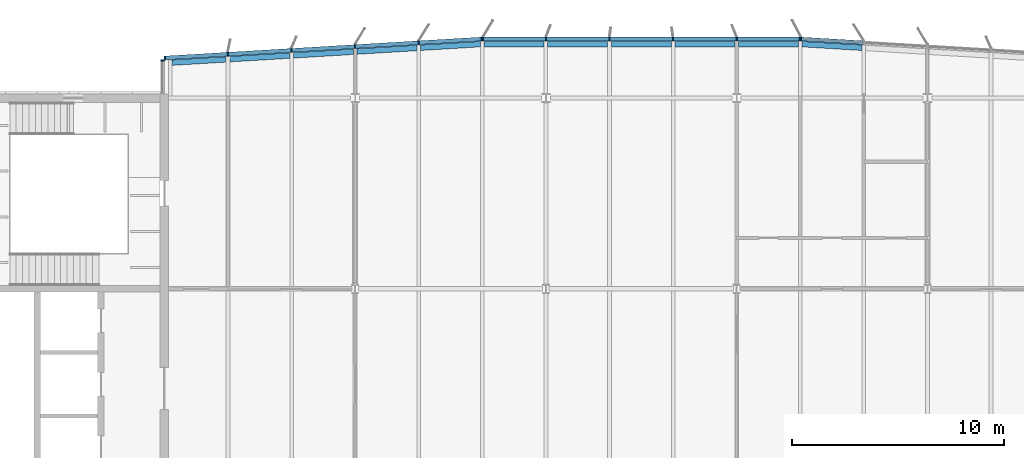
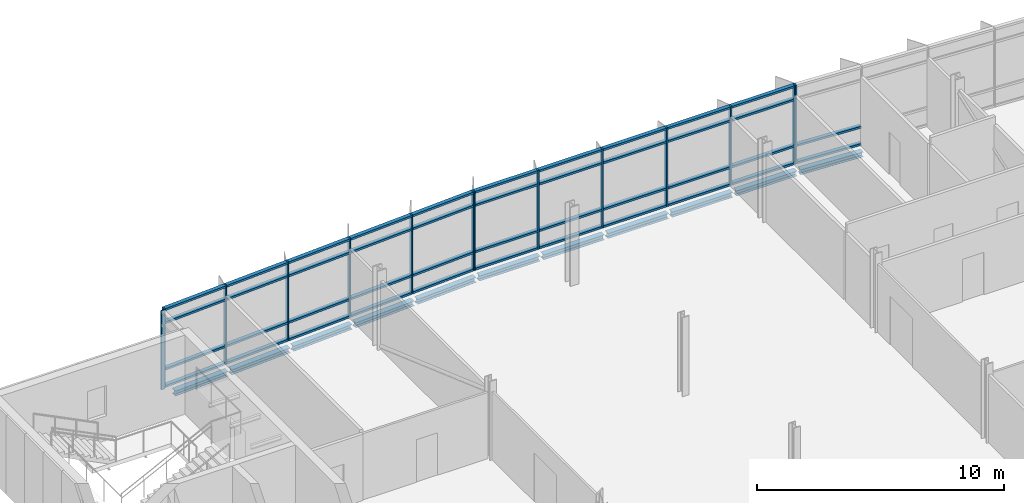
# One storey, part 8 of 18: 56 members, 11 beams, 4 elements without a shape of their own.
"""IFC4 building model written with IfcOpenShell, lengths in metres."""

from ifc_helpers import new_model, si_unit, direction, frame, origin, origin_2d, place, context, subcontext, project, spatial, rectangle, i_section, extrude, material, material_profile, profile_set, type_object, element, aggregate, save


model = new_model("IFC4")

# Units and contexts
model_context = context("Model", 3, precision=1e-05, world=origin(), true_north=direction((0.0, 1.0)))
body_context = subcontext(model_context, "Body", "Model", "MODEL_VIEW")
ifc_project = project(units=[si_unit("LENGTHUNIT", "METRE"), si_unit("AREAUNIT", "SQUARE_METRE"), si_unit("VOLUMEUNIT", "CUBIC_METRE"), si_unit("PLANEANGLEUNIT", "RADIAN"), si_unit("MASSUNIT", "GRAM", prefix="KILO")], contexts=[model_context])

# Site, building, storey
site_placement = place(None, origin())
site = spatial("IfcSite", under=ifc_project, at=site_placement, CompositionType="ELEMENT")
building_placement = place(site_placement, origin())
building = spatial("IfcBuilding", under=site, at=building_placement, Name="Azimuth Sports and Learning Centre", CompositionType="ELEMENT")
storey_placement = place(building_placement, frame((0.0, 0.0, 59.699951171875)))
storey = spatial("IfcBuildingStorey", under=building, at=storey_placement, Name="L13", CompositionType="ELEMENT", Elevation=59.699951171875)

# Beams
ifc_material_1 = material(Name="Steel S355", Category="steel")
ifc_material_profile_1 = material_profile(ifc_material_1, i_section(OverallWidth=0.260009765625, OverallDepth=0.25, WebThickness=0.007568359375, FlangeThickness=0.012451171875, FilletRadius=0.02392578125, at=origin_2d()), Name="HEA 260")
ifc_profile_set_1 = profile_set([ifc_material_profile_1], Name="Steel S355")
beam_type = type_object("IfcBeamType", Name="Edge beam HEA 260", PredefinedType="SPANDREL", material=ifc_profile_set_1)
beam_1_placement = place(storey_placement, frame((63.3701171875, 118.672119140625, -0.2548828125), z_axis=(0.998201638043, 0.05994572385, 0.0), x_axis=(-0.05994572385, 0.998201638043, 0.0)))
element("IfcBeam", 1, at=beam_1_placement, inside=storey, type_object=beam_type, Name="Tower edge beam", PredefinedType="SPANDREL", context=body_context, shape_type="SweptSolid", body=[
    extrude(i_section(OverallWidth=0.260009765625, OverallDepth=0.25, WebThickness=0.007568359375, FlangeThickness=0.012451171875, FilletRadius=0.02392578125, at=origin_2d()), origin(), (0.0, 0.0, 1.0), 2.549560546875),
])
for number, where, z_axis, x_axis, name in (
    (2, (66.0849609375, 118.835205078125, -0.2548828125), (0.998207521518, 0.059847673176, 0.0), (-0.059847673176, 0.998207521518, 0.0), "Tower edge beam"),
    (3, (69.0849609375, 119.01513671875, -0.2548828125), (0.998207521518, 0.059847673176, 0.0), (-0.059847673176, 0.998207521518, 0.0), "Tower edge beam"),
    (4, (72.0849609375, 119.195068359375, -0.2548828125), (0.998202373506, 0.059933475842, 0.0), (-0.059933475842, 0.998202373506, 0.0), "Tower edge beam"),
    (5, (75.0849609375, 119.375, -0.2548828125), (0.998202373506, 0.059933475842, 0.0), (-0.059933475842, 0.998202373506, 0.0), "Tower edge beam"),
):
    element("IfcBeam", number, at=place(storey_placement, frame(where, z_axis=z_axis, x_axis=x_axis)), inside=storey, type_object=beam_type, Name=name, PredefinedType="SPANDREL", context=body_context, shape_type="SweptSolid", body=[
        extrude(i_section(OverallWidth=0.260009765625, OverallDepth=0.25, WebThickness=0.007568359375, FlangeThickness=0.012451171875, FilletRadius=0.02392578125, at=origin_2d()), origin(), (0.0, 0.0, 1.0), 2.835205078125),
    ])
for number, where, z_axis, x_axis, name in (
    (6, (78.0849609375, 119.550048828125, -0.2548828125), (1.0, 0.0, 0.0), (0.0, 1.0, 0.0), "Tower edge beam"),
    (7, (81.0849609375, 119.550048828125, -0.2548828125), (1.0, 0.0, 0.0), (0.0, 1.0, 0.0), "Tower edge beam"),
    (8, (84.0849609375, 119.550048828125, -0.2548828125), (1.0, 0.0, 0.0), (0.0, 1.0, 0.0), "Tower edge beam"),
    (9, (87.0849609375, 119.550048828125, -0.2548828125), (1.0, 0.0, 0.0), (0.0, 1.0, 0.0), "Tower edge beam"),
    (10, (90.0849609375, 119.550048828125, -0.2548828125), (1.0, 0.0, 0.0), (0.0, 1.0, 0.0), "Tower edge beam"),
):
    element("IfcBeam", number, at=place(storey_placement, frame(where, z_axis=z_axis, x_axis=x_axis)), inside=storey, type_object=beam_type, Name=name, PredefinedType="SPANDREL", context=body_context, shape_type="SweptSolid", body=[
        extrude(i_section(OverallWidth=0.260009765625, OverallDepth=0.25, WebThickness=0.007568359375, FlangeThickness=0.012451171875, FilletRadius=0.02392578125, at=origin_2d()), origin(), (0.0, 0.0, 1.0), 2.830078125),
    ])
beam_2_placement = place(storey_placement, frame((93.0849609375, 119.544921875, -0.2548828125), z_axis=(0.998202373506, -0.059933475842, 0.0), x_axis=(0.059933475842, 0.998202373506, 0.0)))
element("IfcBeam", 11, at=beam_2_placement, inside=storey, type_object=beam_type, Name="Tower edge beam", PredefinedType="SPANDREL", context=body_context, shape_type="SweptSolid", body=[
    extrude(i_section(OverallWidth=0.260009765625, OverallDepth=0.25, WebThickness=0.007568359375, FlangeThickness=0.012451171875, FilletRadius=0.02392578125, at=origin_2d()), origin(), (0.0, 0.0, 1.0), 2.835205078125),
])

# Curtain wall, member
ifc_material_2 = material(Name="Aluminium and glass", Category="aluminium")
curtain_wall_type_1 = type_object("IfcCurtainWallType", Name="Curtain wall tower north 180", PredefinedType="NOTDEFINED", material=ifc_material_2)
curtain_wall_1_placement = place(storey_placement, origin())
curtain_wall_1 = element("IfcCurtainWall", 12, at=curtain_wall_1_placement, inside=storey, type_object=curtain_wall_type_1, Name="Curtain wall CW13-007", PredefinedType="NOTDEFINED")
ifc_material_3 = material(Name="Aluminium", Category="aluminium")
ifc_material_profile_2 = material_profile(ifc_material_3, rectangle(XDim=0.179931640625, YDim=0.06005859375, at=origin_2d()), Name="Mullion 60x180")
ifc_profile_set_2 = profile_set([ifc_material_profile_2], Name="Aluminium")
member_type_1 = type_object("IfcMemberType", Name="Mullion 60x180", PredefinedType="MULLION", material=ifc_profile_set_2)
member_1_placement = place(storey_placement, frame((93.035400390625, 119.7880859375, 0.0), z_axis=(0.0, 0.0, 1.0), x_axis=(-0.059891991812, -0.998204863401, 0.0)))
member_1 = element("IfcMember", 13, at=member_1_placement, type_object=member_type_1, Name="CW13-007 mullion 6", PredefinedType="MULLION", context=body_context, shape_type="SweptSolid", body=[
    extrude(rectangle(XDim=0.179931640625, YDim=0.06005859375, at=origin_2d()), origin(), (0.0, 0.0, 1.0), 3.900146484375),
])

# Curtain wall, members
curtain_wall_2_placement = place(storey_placement, origin())
curtain_wall_2 = element("IfcCurtainWall", 14, at=curtain_wall_2_placement, inside=storey, type_object=curtain_wall_type_1, Name="Curtain wall CW13-008", PredefinedType="NOTDEFINED")
member_2_placement = place(storey_placement, frame((92.975341796875, 119.7900390625, 0.0), z_axis=(0.0, 0.0, 1.0), x_axis=(0.0, -1.0, 0.0)))
member_2 = element("IfcMember", 15, at=member_2_placement, type_object=member_type_1, Name="CW13-008 mullion 1", PredefinedType="MULLION", context=body_context, shape_type="SweptSolid", body=[
    extrude(rectangle(XDim=0.179931640625, YDim=0.06005859375, at=origin_2d()), origin(), (0.0, 0.0, 1.0), 3.900146484375),
])
member_3_placement = place(storey_placement, frame((90.0, 119.7900390625, 0.0), z_axis=(0.0, 0.0, 1.0), x_axis=(0.0, -1.0, 0.0)))
member_3 = element("IfcMember", 16, at=member_3_placement, type_object=member_type_1, Name="CW13-008 mullion 2", PredefinedType="MULLION", context=body_context, shape_type="SweptSolid", body=[
    extrude(rectangle(XDim=0.179931640625, YDim=0.06005859375, at=origin_2d()), origin(), (0.0, 0.0, 1.0), 3.900146484375),
])
member_4_placement = place(storey_placement, frame((87.0, 119.7900390625, 0.0), z_axis=(0.0, 0.0, 1.0), x_axis=(0.0, -1.0, 0.0)))
member_4 = element("IfcMember", 17, at=member_4_placement, type_object=member_type_1, Name="CW13-008 mullion 3", PredefinedType="MULLION", context=body_context, shape_type="SweptSolid", body=[
    extrude(rectangle(XDim=0.179931640625, YDim=0.06005859375, at=origin_2d()), origin(), (0.0, 0.0, 1.0), 3.900146484375),
])
member_5_placement = place(storey_placement, frame((84.0, 119.7900390625, 0.0), z_axis=(0.0, 0.0, 1.0), x_axis=(0.0, -1.0, 0.0)))
member_5 = element("IfcMember", 18, at=member_5_placement, type_object=member_type_1, Name="CW13-008 mullion 4", PredefinedType="MULLION", context=body_context, shape_type="SweptSolid", body=[
    extrude(rectangle(XDim=0.179931640625, YDim=0.06005859375, at=origin_2d()), origin(), (0.0, 0.0, 1.0), 3.900146484375),
])
member_6_placement = place(storey_placement, frame((81.0, 119.7900390625, 0.0), z_axis=(0.0, 0.0, 1.0), x_axis=(0.0, -1.0, 0.0)))
member_6 = element("IfcMember", 19, at=member_6_placement, type_object=member_type_1, Name="CW13-008 mullion 5", PredefinedType="MULLION", context=body_context, shape_type="SweptSolid", body=[
    extrude(rectangle(XDim=0.179931640625, YDim=0.06005859375, at=origin_2d()), origin(), (0.0, 0.0, 1.0), 3.900146484375),
])
member_7_placement = place(storey_placement, frame((78.030029296875, 119.7900390625, 0.0), z_axis=(0.0, 0.0, 1.0), x_axis=(0.0, -1.0, 0.0)))
member_7 = element("IfcMember", 20, at=member_7_placement, type_object=member_type_1, Name="CW13-008 mullion 6", PredefinedType="MULLION", context=body_context, shape_type="SweptSolid", body=[
    extrude(rectangle(XDim=0.179931640625, YDim=0.06005859375, at=origin_2d()), origin(), (0.0, 0.0, 1.0), 3.900146484375),
])

curtain_wall_3_placement = place(storey_placement, origin())
curtain_wall_3 = element("IfcCurtainWall", 21, at=curtain_wall_3_placement, inside=storey, type_object=curtain_wall_type_1, Name="Curtain wall CW13-009", PredefinedType="NOTDEFINED")
member_8_placement = place(storey_placement, frame((77.969970703125, 119.788330078125, 0.0), z_axis=(0.0, 0.0, 1.0), x_axis=(0.059891991812, -0.998204863401, 0.0)))
member_8 = element("IfcMember", 22, at=member_8_placement, type_object=member_type_1, Name="CW13-009 mullion 1", PredefinedType="MULLION", context=body_context, shape_type="SweptSolid", body=[
    extrude(rectangle(XDim=0.179931640625, YDim=0.06005859375, at=origin_2d()), origin(), (0.0, 0.0, 1.0), 3.900146484375),
])
member_9_placement = place(storey_placement, frame((74.99462890625, 119.60986328125, 0.0), z_axis=(0.0, 0.0, 1.0), x_axis=(0.059891991812, -0.998204863401, 0.0)))
member_9 = element("IfcMember", 23, at=member_9_placement, type_object=member_type_1, Name="CW13-009 mullion 2", PredefinedType="MULLION", context=body_context, shape_type="SweptSolid", body=[
    extrude(rectangle(XDim=0.179931640625, YDim=0.06005859375, at=origin_2d()), origin(), (0.0, 0.0, 1.0), 3.900146484375),
])
member_10_placement = place(storey_placement, frame((71.99462890625, 119.429931640625, 0.0), z_axis=(0.0, 0.0, 1.0), x_axis=(0.059891991812, -0.998204863401, 0.0)))
member_10 = element("IfcMember", 24, at=member_10_placement, type_object=member_type_1, Name="CW13-009 mullion 3", PredefinedType="MULLION", context=body_context, shape_type="SweptSolid", body=[
    extrude(rectangle(XDim=0.179931640625, YDim=0.06005859375, at=origin_2d()), origin(), (0.0, 0.0, 1.0), 3.900146484375),
])
member_11_placement = place(storey_placement, frame((68.99462890625, 119.249755859375, 0.0), z_axis=(0.0, 0.0, 1.0), x_axis=(0.059891991812, -0.998204863401, 0.0)))
member_11 = element("IfcMember", 25, at=member_11_placement, type_object=member_type_1, Name="CW13-009 mullion 4", PredefinedType="MULLION", context=body_context, shape_type="SweptSolid", body=[
    extrude(rectangle(XDim=0.179931640625, YDim=0.06005859375, at=origin_2d()), origin(), (0.0, 0.0, 1.0), 3.900146484375),
])
member_12_placement = place(storey_placement, frame((65.99462890625, 119.06982421875, 0.0), z_axis=(0.0, 0.0, 1.0), x_axis=(0.059891991812, -0.998204863401, 0.0)))
member_12 = element("IfcMember", 26, at=member_12_placement, type_object=member_type_1, Name="CW13-009 mullion 5", PredefinedType="MULLION", context=body_context, shape_type="SweptSolid", body=[
    extrude(rectangle(XDim=0.179931640625, YDim=0.06005859375, at=origin_2d()), origin(), (0.0, 0.0, 1.0), 3.900146484375),
])
member_13_placement = place(storey_placement, frame((63.024658203125, 118.8916015625, 0.0), z_axis=(0.0, 0.0, 1.0), x_axis=(0.059891991812, -0.998204863401, 0.0)))
member_13 = element("IfcMember", 27, at=member_13_placement, type_object=member_type_1, Name="CW13-009 mullion 6", PredefinedType="MULLION", context=body_context, shape_type="SweptSolid", body=[
    extrude(rectangle(XDim=0.179931640625, YDim=0.06005859375, at=origin_2d()), origin(), (0.0, 0.0, 1.0), 3.900146484375),
])

# Curtain wall, member
ifc_material_4 = material(Name="Aluminium and glass", Category="aluminium")
curtain_wall_type_2 = type_object("IfcCurtainWallType", Name="Curtain wall tower return 180", PredefinedType="NOTDEFINED", material=ifc_material_4)
curtain_wall_4_placement = place(storey_placement, origin())
curtain_wall_4 = element("IfcCurtainWall", 28, at=curtain_wall_4_placement, inside=storey, type_object=curtain_wall_type_2, Name="Curtain wall CW13-010", PredefinedType="NOTDEFINED")
member_14_placement = place(storey_placement, frame((62.909912109375, 118.77001953125, 0.0), z_axis=(0.0, 0.0, 1.0), x_axis=(1.0, 0.0, 0.0)))
member_14 = element("IfcMember", 29, at=member_14_placement, type_object=member_type_1, Name="CW13-010 mullion 1", PredefinedType="MULLION", context=body_context, shape_type="SweptSolid", body=[
    extrude(rectangle(XDim=0.179931640625, YDim=0.06005859375, at=origin_2d()), origin(), (0.0, 0.0, 1.0), 3.900146484375),
])
aggregate(curtain_wall_4, [member_14])

# Member
ifc_material_5 = material(Name="Aluminium", Category="aluminium")
ifc_material_profile_3 = material_profile(ifc_material_5, rectangle(XDim=0.179931640625, YDim=0.10009765625, at=origin_2d()), Name="Transom 100x180")
ifc_profile_set_3 = profile_set([ifc_material_profile_3], Name="Aluminium")
member_type_2 = type_object("IfcMemberType", Name="Transom 100x180", PredefinedType="USERDEFINED", material=ifc_profile_set_3)
member_15_placement = place(storey_placement, frame((95.975341796875, 119.611572265625, 0.050048828125), z_axis=(-0.998205846627, 0.059875602377, 0.0), x_axis=(-0.059875602377, -0.998205846627, 0.0)))
member_15 = element("IfcMember", 30, at=member_15_placement, type_object=member_type_2, Name="CW13-007 transom 5.1", ObjectType="TRANSOM", PredefinedType="USERDEFINED", context=body_context, shape_type="SweptSolid", body=[
    extrude(rectangle(XDim=0.179931640625, YDim=0.10009765625, at=origin_2d()), origin(), (0.0, 0.0, 1.0), 2.915283203125),
])

member_16_placement = place(storey_placement, frame((95.975341796875, 119.611572265625, 0.900146484375), z_axis=(-0.998205846627, 0.059875602377, 0.0), x_axis=(-0.059875602377, -0.998205846627, 0.0)))
member_16 = element("IfcMember", 31, at=member_16_placement, type_object=member_type_2, Name="CW13-007 transom 5.2", ObjectType="TRANSOM", PredefinedType="USERDEFINED", context=body_context, shape_type="SweptSolid", body=[
    extrude(rectangle(XDim=0.179931640625, YDim=0.10009765625, at=origin_2d()), origin(), (0.0, 0.0, 1.0), 2.915283203125),
])

aggregate(curtain_wall_1, [member_1, member_15, member_16])

member_17_placement = place(storey_placement, frame((92.9453125, 119.7900390625, 0.050048828125), z_axis=(-1.0, 0.0, 0.0), x_axis=(0.0, -1.0, 0.0)))
member_17 = element("IfcMember", 32, at=member_17_placement, type_object=member_type_2, Name="CW13-008 transom 1.1", ObjectType="TRANSOM", PredefinedType="USERDEFINED", context=body_context, shape_type="SweptSolid", body=[
    extrude(rectangle(XDim=0.179931640625, YDim=0.10009765625, at=origin_2d()), origin(), (0.0, 0.0, 1.0), 2.915283203125),
])

member_18_placement = place(storey_placement, frame((92.9453125, 119.7900390625, 0.900146484375), z_axis=(-1.0, 0.0, 0.0), x_axis=(0.0, -1.0, 0.0)))
member_18 = element("IfcMember", 33, at=member_18_placement, type_object=member_type_2, Name="CW13-008 transom 1.2", ObjectType="TRANSOM", PredefinedType="USERDEFINED", context=body_context, shape_type="SweptSolid", body=[
    extrude(rectangle(XDim=0.179931640625, YDim=0.10009765625, at=origin_2d()), origin(), (0.0, 0.0, 1.0), 2.915283203125),
])

member_19_placement = place(storey_placement, frame((92.9453125, 119.7900390625, 3.199951171875), z_axis=(-1.0, 0.0, 0.0), x_axis=(0.0, -1.0, 0.0)))
member_19 = element("IfcMember", 34, at=member_19_placement, type_object=member_type_2, Name="CW13-008 transom 1.3", ObjectType="TRANSOM", PredefinedType="USERDEFINED", context=body_context, shape_type="SweptSolid", body=[
    extrude(rectangle(XDim=0.179931640625, YDim=0.10009765625, at=origin_2d()), origin(), (0.0, 0.0, 1.0), 2.915283203125),
])

member_20_placement = place(storey_placement, frame((92.9453125, 119.7900390625, 3.85009765625), z_axis=(-1.0, 0.0, 0.0), x_axis=(0.0, -1.0, 0.0)))
member_20 = element("IfcMember", 35, at=member_20_placement, type_object=member_type_2, Name="CW13-008 transom 1.4", ObjectType="TRANSOM", PredefinedType="USERDEFINED", context=body_context, shape_type="SweptSolid", body=[
    extrude(rectangle(XDim=0.179931640625, YDim=0.10009765625, at=origin_2d()), origin(), (0.0, 0.0, 1.0), 2.915283203125),
])

member_21_placement = place(storey_placement, frame((89.969970703125, 119.7900390625, 0.050048828125), z_axis=(-1.0, 0.0, 0.0), x_axis=(0.0, -1.0, 0.0)))
member_21 = element("IfcMember", 36, at=member_21_placement, type_object=member_type_2, Name="CW13-008 transom 2.1", ObjectType="TRANSOM", PredefinedType="USERDEFINED", context=body_context, shape_type="SweptSolid", body=[
    extrude(rectangle(XDim=0.179931640625, YDim=0.10009765625, at=origin_2d()), origin(), (0.0, 0.0, 1.0), 2.93994140625),
])

member_22_placement = place(storey_placement, frame((89.969970703125, 119.7900390625, 0.900146484375), z_axis=(-1.0, 0.0, 0.0), x_axis=(0.0, -1.0, 0.0)))
member_22 = element("IfcMember", 37, at=member_22_placement, type_object=member_type_2, Name="CW13-008 transom 2.2", ObjectType="TRANSOM", PredefinedType="USERDEFINED", context=body_context, shape_type="SweptSolid", body=[
    extrude(rectangle(XDim=0.179931640625, YDim=0.10009765625, at=origin_2d()), origin(), (0.0, 0.0, 1.0), 2.93994140625),
])

member_23_placement = place(storey_placement, frame((89.969970703125, 119.7900390625, 3.199951171875), z_axis=(-1.0, 0.0, 0.0), x_axis=(0.0, -1.0, 0.0)))
member_23 = element("IfcMember", 38, at=member_23_placement, type_object=member_type_2, Name="CW13-008 transom 2.3", ObjectType="TRANSOM", PredefinedType="USERDEFINED", context=body_context, shape_type="SweptSolid", body=[
    extrude(rectangle(XDim=0.179931640625, YDim=0.10009765625, at=origin_2d()), origin(), (0.0, 0.0, 1.0), 2.93994140625),
])

member_24_placement = place(storey_placement, frame((89.969970703125, 119.7900390625, 3.85009765625), z_axis=(-1.0, 0.0, 0.0), x_axis=(0.0, -1.0, 0.0)))
member_24 = element("IfcMember", 39, at=member_24_placement, type_object=member_type_2, Name="CW13-008 transom 2.4", ObjectType="TRANSOM", PredefinedType="USERDEFINED", context=body_context, shape_type="SweptSolid", body=[
    extrude(rectangle(XDim=0.179931640625, YDim=0.10009765625, at=origin_2d()), origin(), (0.0, 0.0, 1.0), 2.93994140625),
])

member_25_placement = place(storey_placement, frame((86.969970703125, 119.7900390625, 0.050048828125), z_axis=(-1.0, 0.0, 0.0), x_axis=(0.0, -1.0, 0.0)))
member_25 = element("IfcMember", 40, at=member_25_placement, type_object=member_type_2, Name="CW13-008 transom 3.1", ObjectType="TRANSOM", PredefinedType="USERDEFINED", context=body_context, shape_type="SweptSolid", body=[
    extrude(rectangle(XDim=0.179931640625, YDim=0.10009765625, at=origin_2d()), origin(), (0.0, 0.0, 1.0), 2.93994140625),
])

member_26_placement = place(storey_placement, frame((86.969970703125, 119.7900390625, 0.900146484375), z_axis=(-1.0, 0.0, 0.0), x_axis=(0.0, -1.0, 0.0)))
member_26 = element("IfcMember", 41, at=member_26_placement, type_object=member_type_2, Name="CW13-008 transom 3.2", ObjectType="TRANSOM", PredefinedType="USERDEFINED", context=body_context, shape_type="SweptSolid", body=[
    extrude(rectangle(XDim=0.179931640625, YDim=0.10009765625, at=origin_2d()), origin(), (0.0, 0.0, 1.0), 2.93994140625),
])

member_27_placement = place(storey_placement, frame((86.969970703125, 119.7900390625, 3.199951171875), z_axis=(-1.0, 0.0, 0.0), x_axis=(0.0, -1.0, 0.0)))
member_27 = element("IfcMember", 42, at=member_27_placement, type_object=member_type_2, Name="CW13-008 transom 3.3", ObjectType="TRANSOM", PredefinedType="USERDEFINED", context=body_context, shape_type="SweptSolid", body=[
    extrude(rectangle(XDim=0.179931640625, YDim=0.10009765625, at=origin_2d()), origin(), (0.0, 0.0, 1.0), 2.93994140625),
])

member_28_placement = place(storey_placement, frame((86.969970703125, 119.7900390625, 3.85009765625), z_axis=(-1.0, 0.0, 0.0), x_axis=(0.0, -1.0, 0.0)))
member_28 = element("IfcMember", 43, at=member_28_placement, type_object=member_type_2, Name="CW13-008 transom 3.4", ObjectType="TRANSOM", PredefinedType="USERDEFINED", context=body_context, shape_type="SweptSolid", body=[
    extrude(rectangle(XDim=0.179931640625, YDim=0.10009765625, at=origin_2d()), origin(), (0.0, 0.0, 1.0), 2.93994140625),
])

member_29_placement = place(storey_placement, frame((83.969970703125, 119.7900390625, 0.050048828125), z_axis=(-1.0, 0.0, 0.0), x_axis=(0.0, -1.0, 0.0)))
member_29 = element("IfcMember", 44, at=member_29_placement, type_object=member_type_2, Name="CW13-008 transom 4.1", ObjectType="TRANSOM", PredefinedType="USERDEFINED", context=body_context, shape_type="SweptSolid", body=[
    extrude(rectangle(XDim=0.179931640625, YDim=0.10009765625, at=origin_2d()), origin(), (0.0, 0.0, 1.0), 2.93994140625),
])

member_30_placement = place(storey_placement, frame((83.969970703125, 119.7900390625, 0.900146484375), z_axis=(-1.0, 0.0, 0.0), x_axis=(0.0, -1.0, 0.0)))
member_30 = element("IfcMember", 45, at=member_30_placement, type_object=member_type_2, Name="CW13-008 transom 4.2", ObjectType="TRANSOM", PredefinedType="USERDEFINED", context=body_context, shape_type="SweptSolid", body=[
    extrude(rectangle(XDim=0.179931640625, YDim=0.10009765625, at=origin_2d()), origin(), (0.0, 0.0, 1.0), 2.93994140625),
])

member_31_placement = place(storey_placement, frame((83.969970703125, 119.7900390625, 3.199951171875), z_axis=(-1.0, 0.0, 0.0), x_axis=(0.0, -1.0, 0.0)))
member_31 = element("IfcMember", 46, at=member_31_placement, type_object=member_type_2, Name="CW13-008 transom 4.3", ObjectType="TRANSOM", PredefinedType="USERDEFINED", context=body_context, shape_type="SweptSolid", body=[
    extrude(rectangle(XDim=0.179931640625, YDim=0.10009765625, at=origin_2d()), origin(), (0.0, 0.0, 1.0), 2.93994140625),
])

member_32_placement = place(storey_placement, frame((83.969970703125, 119.7900390625, 3.85009765625), z_axis=(-1.0, 0.0, 0.0), x_axis=(0.0, -1.0, 0.0)))
member_32 = element("IfcMember", 47, at=member_32_placement, type_object=member_type_2, Name="CW13-008 transom 4.4", ObjectType="TRANSOM", PredefinedType="USERDEFINED", context=body_context, shape_type="SweptSolid", body=[
    extrude(rectangle(XDim=0.179931640625, YDim=0.10009765625, at=origin_2d()), origin(), (0.0, 0.0, 1.0), 2.93994140625),
])

member_33_placement = place(storey_placement, frame((80.969970703125, 119.7900390625, 0.050048828125), z_axis=(-1.0, 0.0, 0.0), x_axis=(0.0, -1.0, 0.0)))
member_33 = element("IfcMember", 48, at=member_33_placement, type_object=member_type_2, Name="CW13-008 transom 5.1", ObjectType="TRANSOM", PredefinedType="USERDEFINED", context=body_context, shape_type="SweptSolid", body=[
    extrude(rectangle(XDim=0.179931640625, YDim=0.10009765625, at=origin_2d()), origin(), (0.0, 0.0, 1.0), 2.909912109375),
])

member_34_placement = place(storey_placement, frame((80.969970703125, 119.7900390625, 0.900146484375), z_axis=(-1.0, 0.0, 0.0), x_axis=(0.0, -1.0, 0.0)))
member_34 = element("IfcMember", 49, at=member_34_placement, type_object=member_type_2, Name="CW13-008 transom 5.2", ObjectType="TRANSOM", PredefinedType="USERDEFINED", context=body_context, shape_type="SweptSolid", body=[
    extrude(rectangle(XDim=0.179931640625, YDim=0.10009765625, at=origin_2d()), origin(), (0.0, 0.0, 1.0), 2.909912109375),
])

member_35_placement = place(storey_placement, frame((80.969970703125, 119.7900390625, 3.199951171875), z_axis=(-1.0, 0.0, 0.0), x_axis=(0.0, -1.0, 0.0)))
member_35 = element("IfcMember", 50, at=member_35_placement, type_object=member_type_2, Name="CW13-008 transom 5.3", ObjectType="TRANSOM", PredefinedType="USERDEFINED", context=body_context, shape_type="SweptSolid", body=[
    extrude(rectangle(XDim=0.179931640625, YDim=0.10009765625, at=origin_2d()), origin(), (0.0, 0.0, 1.0), 2.909912109375),
])

member_36_placement = place(storey_placement, frame((80.969970703125, 119.7900390625, 3.85009765625), z_axis=(-1.0, 0.0, 0.0), x_axis=(0.0, -1.0, 0.0)))
member_36 = element("IfcMember", 51, at=member_36_placement, type_object=member_type_2, Name="CW13-008 transom 5.4", ObjectType="TRANSOM", PredefinedType="USERDEFINED", context=body_context, shape_type="SweptSolid", body=[
    extrude(rectangle(XDim=0.179931640625, YDim=0.10009765625, at=origin_2d()), origin(), (0.0, 0.0, 1.0), 2.909912109375),
])

aggregate(curtain_wall_2, [member_2, member_3, member_4, member_5, member_6, member_7, member_17, member_18, member_19, member_20, member_21, member_22, member_23, member_24, member_25, member_26, member_27, member_28, member_29, member_30, member_31, member_32, member_33, member_34, member_35, member_36])

member_37_placement = place(storey_placement, frame((77.940185546875, 119.78662109375, 0.050048828125), z_axis=(-0.998202445979, -0.05993226878, 0.0), x_axis=(0.05993226878, -0.998202445979, 0.0)))
member_37 = element("IfcMember", 52, at=member_37_placement, type_object=member_type_2, Name="CW13-009 transom 1.1", ObjectType="TRANSOM", PredefinedType="USERDEFINED", context=body_context, shape_type="SweptSolid", body=[
    extrude(rectangle(XDim=0.179931640625, YDim=0.10009765625, at=origin_2d()), origin(), (0.0, 0.0, 1.0), 2.9208984375),
])

member_38_placement = place(storey_placement, frame((77.940185546875, 119.78662109375, 0.900146484375), z_axis=(-0.998202445979, -0.05993226878, 0.0), x_axis=(0.05993226878, -0.998202445979, 0.0)))
member_38 = element("IfcMember", 53, at=member_38_placement, type_object=member_type_2, Name="CW13-009 transom 1.2", ObjectType="TRANSOM", PredefinedType="USERDEFINED", context=body_context, shape_type="SweptSolid", body=[
    extrude(rectangle(XDim=0.179931640625, YDim=0.10009765625, at=origin_2d()), origin(), (0.0, 0.0, 1.0), 2.9208984375),
])

member_39_placement = place(storey_placement, frame((77.940185546875, 119.78662109375, 3.199951171875), z_axis=(-0.998202445979, -0.05993226878, 0.0), x_axis=(0.05993226878, -0.998202445979, 0.0)))
member_39 = element("IfcMember", 54, at=member_39_placement, type_object=member_type_2, Name="CW13-009 transom 1.3", ObjectType="TRANSOM", PredefinedType="USERDEFINED", context=body_context, shape_type="SweptSolid", body=[
    extrude(rectangle(XDim=0.179931640625, YDim=0.10009765625, at=origin_2d()), origin(), (0.0, 0.0, 1.0), 2.9208984375),
])

member_40_placement = place(storey_placement, frame((77.940185546875, 119.78662109375, 3.85009765625), z_axis=(-0.998202445979, -0.05993226878, 0.0), x_axis=(0.05993226878, -0.998202445979, 0.0)))
member_40 = element("IfcMember", 55, at=member_40_placement, type_object=member_type_2, Name="CW13-009 transom 1.4", ObjectType="TRANSOM", PredefinedType="USERDEFINED", context=body_context, shape_type="SweptSolid", body=[
    extrude(rectangle(XDim=0.179931640625, YDim=0.10009765625, at=origin_2d()), origin(), (0.0, 0.0, 1.0), 2.9208984375),
])

member_41_placement = place(storey_placement, frame((74.964599609375, 119.608154296875, 0.050048828125), z_axis=(-0.998202465912, -0.059931936792, 0.0), x_axis=(0.059931936792, -0.998202465912, 0.0)))
member_41 = element("IfcMember", 56, at=member_41_placement, type_object=member_type_2, Name="CW13-009 transom 2.1", ObjectType="TRANSOM", PredefinedType="USERDEFINED", context=body_context, shape_type="SweptSolid", body=[
    extrude(rectangle(XDim=0.179931640625, YDim=0.10009765625, at=origin_2d()), origin(), (0.0, 0.0, 1.0), 2.9453125),
])

member_42_placement = place(storey_placement, frame((74.964599609375, 119.608154296875, 0.900146484375), z_axis=(-0.998202465912, -0.059931936792, 0.0), x_axis=(0.059931936792, -0.998202465912, 0.0)))
member_42 = element("IfcMember", 57, at=member_42_placement, type_object=member_type_2, Name="CW13-009 transom 2.2", ObjectType="TRANSOM", PredefinedType="USERDEFINED", context=body_context, shape_type="SweptSolid", body=[
    extrude(rectangle(XDim=0.179931640625, YDim=0.10009765625, at=origin_2d()), origin(), (0.0, 0.0, 1.0), 2.9453125),
])

member_43_placement = place(storey_placement, frame((74.964599609375, 119.608154296875, 3.199951171875), z_axis=(-0.998202465912, -0.059931936792, 0.0), x_axis=(0.059931936792, -0.998202465912, 0.0)))
member_43 = element("IfcMember", 58, at=member_43_placement, type_object=member_type_2, Name="CW13-009 transom 2.3", ObjectType="TRANSOM", PredefinedType="USERDEFINED", context=body_context, shape_type="SweptSolid", body=[
    extrude(rectangle(XDim=0.179931640625, YDim=0.10009765625, at=origin_2d()), origin(), (0.0, 0.0, 1.0), 2.9453125),
])

member_44_placement = place(storey_placement, frame((74.964599609375, 119.608154296875, 3.85009765625), z_axis=(-0.998202465912, -0.059931936792, 0.0), x_axis=(0.059931936792, -0.998202465912, 0.0)))
member_44 = element("IfcMember", 59, at=member_44_placement, type_object=member_type_2, Name="CW13-009 transom 2.4", ObjectType="TRANSOM", PredefinedType="USERDEFINED", context=body_context, shape_type="SweptSolid", body=[
    extrude(rectangle(XDim=0.179931640625, YDim=0.10009765625, at=origin_2d()), origin(), (0.0, 0.0, 1.0), 2.9453125),
])

member_45_placement = place(storey_placement, frame((71.964599609375, 119.427978515625, 0.050048828125), z_axis=(-0.998207421552, -0.059849340505, 0.0), x_axis=(0.059849340505, -0.998207421552, 0.0)))
member_45 = element("IfcMember", 60, at=member_45_placement, type_object=member_type_2, Name="CW13-009 transom 3.1", ObjectType="TRANSOM", PredefinedType="USERDEFINED", context=body_context, shape_type="SweptSolid", body=[
    extrude(rectangle(XDim=0.179931640625, YDim=0.10009765625, at=origin_2d()), origin(), (0.0, 0.0, 1.0), 2.9453125),
])

member_46_placement = place(storey_placement, frame((71.964599609375, 119.427978515625, 0.900146484375), z_axis=(-0.998207421552, -0.059849340505, 0.0), x_axis=(0.059849340505, -0.998207421552, 0.0)))
member_46 = element("IfcMember", 61, at=member_46_placement, type_object=member_type_2, Name="CW13-009 transom 3.2", ObjectType="TRANSOM", PredefinedType="USERDEFINED", context=body_context, shape_type="SweptSolid", body=[
    extrude(rectangle(XDim=0.179931640625, YDim=0.10009765625, at=origin_2d()), origin(), (0.0, 0.0, 1.0), 2.9453125),
])

member_47_placement = place(storey_placement, frame((71.964599609375, 119.427978515625, 3.199951171875), z_axis=(-0.998207421552, -0.059849340505, 0.0), x_axis=(0.059849340505, -0.998207421552, 0.0)))
member_47 = element("IfcMember", 62, at=member_47_placement, type_object=member_type_2, Name="CW13-009 transom 3.3", ObjectType="TRANSOM", PredefinedType="USERDEFINED", context=body_context, shape_type="SweptSolid", body=[
    extrude(rectangle(XDim=0.179931640625, YDim=0.10009765625, at=origin_2d()), origin(), (0.0, 0.0, 1.0), 2.9453125),
])

member_48_placement = place(storey_placement, frame((71.964599609375, 119.427978515625, 3.85009765625), z_axis=(-0.998207421552, -0.059849340505, 0.0), x_axis=(0.059849340505, -0.998207421552, 0.0)))
member_48 = element("IfcMember", 63, at=member_48_placement, type_object=member_type_2, Name="CW13-009 transom 3.4", ObjectType="TRANSOM", PredefinedType="USERDEFINED", context=body_context, shape_type="SweptSolid", body=[
    extrude(rectangle(XDim=0.179931640625, YDim=0.10009765625, at=origin_2d()), origin(), (0.0, 0.0, 1.0), 2.9453125),
])

member_49_placement = place(storey_placement, frame((68.964599609375, 119.248046875, 0.050048828125), z_axis=(-0.998202465912, -0.059931936792, 0.0), x_axis=(0.059931936792, -0.998202465912, 0.0)))
member_49 = element("IfcMember", 64, at=member_49_placement, type_object=member_type_2, Name="CW13-009 transom 4.1", ObjectType="TRANSOM", PredefinedType="USERDEFINED", context=body_context, shape_type="SweptSolid", body=[
    extrude(rectangle(XDim=0.179931640625, YDim=0.10009765625, at=origin_2d()), origin(), (0.0, 0.0, 1.0), 2.9453125),
])

member_50_placement = place(storey_placement, frame((68.964599609375, 119.248046875, 0.900146484375), z_axis=(-0.998202465912, -0.059931936792, 0.0), x_axis=(0.059931936792, -0.998202465912, 0.0)))
member_50 = element("IfcMember", 65, at=member_50_placement, type_object=member_type_2, Name="CW13-009 transom 4.2", ObjectType="TRANSOM", PredefinedType="USERDEFINED", context=body_context, shape_type="SweptSolid", body=[
    extrude(rectangle(XDim=0.179931640625, YDim=0.10009765625, at=origin_2d()), origin(), (0.0, 0.0, 1.0), 2.9453125),
])

member_51_placement = place(storey_placement, frame((68.964599609375, 119.248046875, 3.199951171875), z_axis=(-0.998202465912, -0.059931936792, 0.0), x_axis=(0.059931936792, -0.998202465912, 0.0)))
member_51 = element("IfcMember", 66, at=member_51_placement, type_object=member_type_2, Name="CW13-009 transom 4.3", ObjectType="TRANSOM", PredefinedType="USERDEFINED", context=body_context, shape_type="SweptSolid", body=[
    extrude(rectangle(XDim=0.179931640625, YDim=0.10009765625, at=origin_2d()), origin(), (0.0, 0.0, 1.0), 2.9453125),
])

member_52_placement = place(storey_placement, frame((68.964599609375, 119.248046875, 3.85009765625), z_axis=(-0.998202465912, -0.059931936792, 0.0), x_axis=(0.059931936792, -0.998202465912, 0.0)))
member_52 = element("IfcMember", 67, at=member_52_placement, type_object=member_type_2, Name="CW13-009 transom 4.4", ObjectType="TRANSOM", PredefinedType="USERDEFINED", context=body_context, shape_type="SweptSolid", body=[
    extrude(rectangle(XDim=0.179931640625, YDim=0.10009765625, at=origin_2d()), origin(), (0.0, 0.0, 1.0), 2.9453125),
])

member_53_placement = place(storey_placement, frame((65.964599609375, 119.068115234375, 0.050048828125), z_axis=(-0.998205846627, -0.059875602377, 0.0), x_axis=(0.059875602377, -0.998205846627, 0.0)))
member_53 = element("IfcMember", 68, at=member_53_placement, type_object=member_type_2, Name="CW13-009 transom 5.1", ObjectType="TRANSOM", PredefinedType="USERDEFINED", context=body_context, shape_type="SweptSolid", body=[
    extrude(rectangle(XDim=0.179931640625, YDim=0.10009765625, at=origin_2d()), origin(), (0.0, 0.0, 1.0), 2.915283203125),
])

member_54_placement = place(storey_placement, frame((65.964599609375, 119.068115234375, 0.900146484375), z_axis=(-0.998205846627, -0.059875602377, 0.0), x_axis=(0.059875602377, -0.998205846627, 0.0)))
member_54 = element("IfcMember", 69, at=member_54_placement, type_object=member_type_2, Name="CW13-009 transom 5.2", ObjectType="TRANSOM", PredefinedType="USERDEFINED", context=body_context, shape_type="SweptSolid", body=[
    extrude(rectangle(XDim=0.179931640625, YDim=0.10009765625, at=origin_2d()), origin(), (0.0, 0.0, 1.0), 2.915283203125),
])

member_55_placement = place(storey_placement, frame((65.964599609375, 119.068115234375, 3.199951171875), z_axis=(-0.998205846627, -0.059875602377, 0.0), x_axis=(0.059875602377, -0.998205846627, 0.0)))
member_55 = element("IfcMember", 70, at=member_55_placement, type_object=member_type_2, Name="CW13-009 transom 5.3", ObjectType="TRANSOM", PredefinedType="USERDEFINED", context=body_context, shape_type="SweptSolid", body=[
    extrude(rectangle(XDim=0.179931640625, YDim=0.10009765625, at=origin_2d()), origin(), (0.0, 0.0, 1.0), 2.915283203125),
])

member_56_placement = place(storey_placement, frame((65.964599609375, 119.068115234375, 3.85009765625), z_axis=(-0.998205846627, -0.059875602377, 0.0), x_axis=(0.059875602377, -0.998205846627, 0.0)))
member_56 = element("IfcMember", 71, at=member_56_placement, type_object=member_type_2, Name="CW13-009 transom 5.4", ObjectType="TRANSOM", PredefinedType="USERDEFINED", context=body_context, shape_type="SweptSolid", body=[
    extrude(rectangle(XDim=0.179931640625, YDim=0.10009765625, at=origin_2d()), origin(), (0.0, 0.0, 1.0), 2.915283203125),
])

aggregate(curtain_wall_3, [member_8, member_9, member_10, member_11, member_12, member_13, member_37, member_38, member_39, member_40, member_41, member_42, member_43, member_44, member_45, member_46, member_47, member_48, member_49, member_50, member_51, member_52, member_53, member_54, member_55, member_56])

save(model, "model.ifc")
